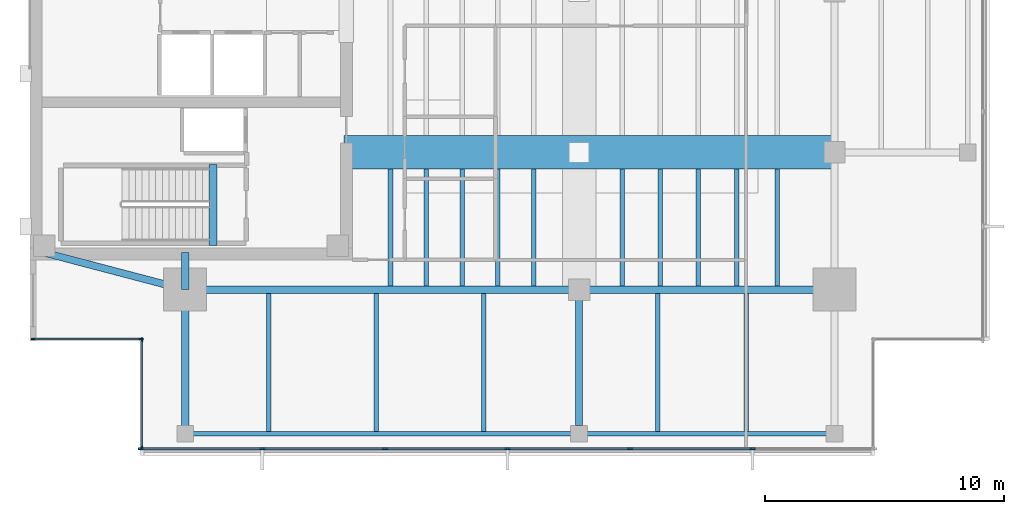
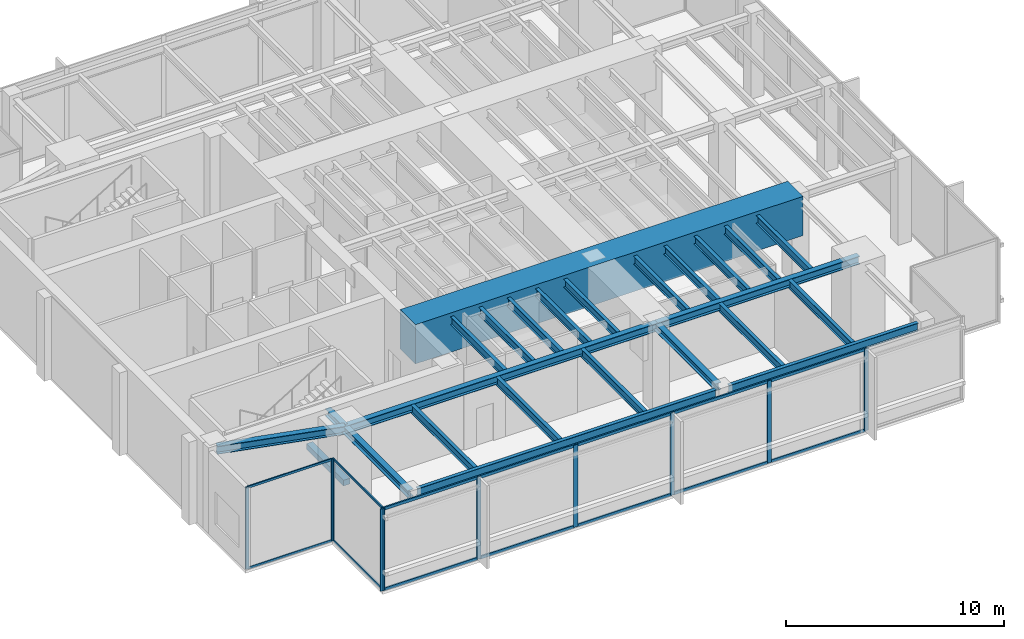
# One storey, part 2 of 14: 25 beams, 24 members, 3 elements without a shape of their own.
"""IFC4 building model written with IfcOpenShell, lengths in metres."""

from ifc_helpers import new_model, si_unit, direction, frame, origin, origin_2d, place, context, subcontext, project, spatial, rectangle, i_section, extrude, material, layer, layer_set, material_profile, profile_set, type_object, element, aggregate, save


model = new_model("IFC4")

# Units and contexts
model_context = context("Model", 3, precision=1e-05, world=origin(), true_north=direction((0.0, 1.0)))
body_context = subcontext(model_context, "Body", "Model", "MODEL_VIEW")
ifc_project = project(units=[si_unit("LENGTHUNIT", "METRE"), si_unit("AREAUNIT", "SQUARE_METRE"), si_unit("VOLUMEUNIT", "CUBIC_METRE"), si_unit("PLANEANGLEUNIT", "RADIAN"), si_unit("MASSUNIT", "GRAM", prefix="KILO")], contexts=[model_context])

# Site, building, storey
site_placement = place(None, origin())
site = spatial("IfcSite", under=ifc_project, at=site_placement, CompositionType="ELEMENT")
building_placement = place(site_placement, origin())
building = spatial("IfcBuilding", under=site, at=building_placement, Name="Kinhvarn Gate Tower", CompositionType="ELEMENT")
storey_placement = place(building_placement, frame((0.0, 0.0, 291.85009765625)))
storey = spatial("IfcBuildingStorey", under=building, at=storey_placement, Name="L78", CompositionType="ELEMENT", Elevation=291.85009765625)

# Beams
ifc_material_1 = material(Name="Concrete C50/60", Category="concrete")
ifc_material_profile_1 = material_profile(ifc_material_1, rectangle(XDim=0.340087890625, YDim=0.320068359375, at=origin_2d()), Name="RC 340x320")
ifc_profile_set_1 = profile_set([ifc_material_profile_1], Name="Concrete C50/60")
beam_type_1 = type_object("IfcBeamType", Name="BM-LND-500", PredefinedType="BEAM", material=ifc_profile_set_1)
beam_1_placement = place(storey_placement, frame((12.1650390625, 14.60009765625, -0.16015625), z_axis=(0.0, 1.0, 0.0), x_axis=(-1.0, 0.0, 0.0)))
element("IfcBeam", 1, at=beam_1_placement, inside=storey, type_object=beam_type_1, Name="Stair ST1 Landing Nosing Beam (L78)", PredefinedType="BEAM", context=body_context, shape_type="SweptSolid", body=[
    extrude(rectangle(XDim=0.340087890625, YDim=0.320068359375, at=origin_2d()), origin(), (0.0, 0.0, 1.0), 3.39990234375),
])
ifc_material_2 = material(Name="Concrete C60/75", Category="concrete")
ifc_material_profile_2 = material_profile(ifc_material_2, rectangle(XDim=1.39990234375, YDim=2.199951171875, at=origin_2d()), Name="RC 1400x2200")
ifc_profile_set_2 = profile_set([ifc_material_profile_2], Name="Concrete C60/75")
beam_type_2 = type_object("IfcBeamType", Name="BM-TG-2200", PredefinedType="BEAM", material=ifc_profile_set_2)
beam_2_placement = place(storey_placement, frame((17.64990234375, 18.5, 3.699951171875), z_axis=(1.0, 0.0, 0.0), x_axis=(0.0, 1.0, 0.0)))
element("IfcBeam", 2, at=beam_2_placement, inside=storey, type_object=beam_type_2, Name="Setback Transfer Girder TG-02-L79-CRANC-1", PredefinedType="BEAM", context=body_context, shape_type="SweptSolid", body=[
    extrude(rectangle(XDim=1.39990234375, YDim=2.199951171875, at=origin_2d()), origin(), (0.0, 0.0, 1.0), 20.550048828125),
])

# Curtain wall, members
ifc_material_3 = material(Name="Anodised aluminium AW-6063", Category="aluminium")
ifc_layer_1 = layer(ifc_material_3, 0.179931640625)
ifc_layer_set_1 = layer_set([ifc_layer_1], Name="Anodised aluminium AW-6063")
curtain_wall_type_1 = type_object("IfcCurtainWallType", Name="CW-SYS-4", PredefinedType="NOTDEFINED", material=ifc_layer_set_1)
curtain_wall_1_placement = place(storey_placement, origin())
curtain_wall_1 = element("IfcCurtainWall", 3, at=curtain_wall_1_placement, inside=storey, type_object=curtain_wall_type_1, Name="Curtain Wall CW4 (L78)", PredefinedType="NOTDEFINED")
ifc_material_profile_3 = material_profile(ifc_material_3, rectangle(XDim=0.06494140625, YDim=0.159912109375, at=origin_2d()), Name="ALU 65x160")
ifc_profile_set_3 = profile_set([ifc_material_profile_3], Name="Anodised aluminium AW-6063")
member_type_1 = type_object("IfcMemberType", Name="CW-MUL-160", PredefinedType="MULLION", material=ifc_profile_set_3)
member_1_placement = place(storey_placement, frame((4.62255859375, 10.68994140625, 0.0), z_axis=(0.0, 0.0, 1.0), x_axis=(0.0, 1.0, 0.0)))
member_1 = element("IfcMember", 4, at=member_1_placement, type_object=member_type_1, Name="CW4 mullion 1", PredefinedType="MULLION", context=body_context, shape_type="SweptSolid", body=[
    extrude(rectangle(XDim=0.06494140625, YDim=0.159912109375, at=origin_2d()), origin(), (0.0, 0.0, 1.0), 4.599853515625),
])
member_2_placement = place(storey_placement, frame((9.157470703125, 10.68994140625, 0.0), z_axis=(0.0, 0.0, 1.0), x_axis=(0.0, 1.0, 0.0)))
member_2 = element("IfcMember", 5, at=member_2_placement, type_object=member_type_1, Name="CW4 mullion 2", PredefinedType="MULLION", context=body_context, shape_type="SweptSolid", body=[
    extrude(rectangle(XDim=0.06494140625, YDim=0.159912109375, at=origin_2d()), origin(), (0.0, 0.0, 1.0), 4.599853515625),
])

curtain_wall_2_placement = place(storey_placement, origin())
curtain_wall_2 = element("IfcCurtainWall", 6, at=curtain_wall_2_placement, inside=storey, type_object=curtain_wall_type_1, Name="Curtain Wall CW4 (L78)", PredefinedType="NOTDEFINED")
member_3_placement = place(storey_placement, frame((9.18994140625, 10.657470703125, 0.0), z_axis=(0.0, 0.0, 1.0), x_axis=(1.0, 0.0, 0.0)))
member_3 = element("IfcMember", 7, at=member_3_placement, type_object=member_type_1, Name="CW4 mullion 1", PredefinedType="MULLION", context=body_context, shape_type="SweptSolid", body=[
    extrude(rectangle(XDim=0.06494140625, YDim=0.159912109375, at=origin_2d()), origin(), (0.0, 0.0, 1.0), 4.599853515625),
])
member_4_placement = place(storey_placement, frame((9.18994140625, 6.12255859375, 0.0), z_axis=(0.0, 0.0, 1.0), x_axis=(1.0, 0.0, 0.0)))
member_4 = element("IfcMember", 8, at=member_4_placement, type_object=member_type_1, Name="CW4 mullion 2", PredefinedType="MULLION", context=body_context, shape_type="SweptSolid", body=[
    extrude(rectangle(XDim=0.06494140625, YDim=0.159912109375, at=origin_2d()), origin(), (0.0, 0.0, 1.0), 4.599853515625),
])

ifc_layer_2 = layer(ifc_material_3, 0.219970703125)
ifc_layer_set_2 = layer_set([ifc_layer_2], Name="Anodised aluminium AW-6063")
curtain_wall_type_2 = type_object("IfcCurtainWallType", Name="CW-SYS-5", PredefinedType="NOTDEFINED", material=ifc_layer_set_2)
curtain_wall_3_placement = place(storey_placement, origin())
curtain_wall_3 = element("IfcCurtainWall", 9, at=curtain_wall_3_placement, inside=storey, type_object=curtain_wall_type_2, Name="Curtain Wall CW5 (L78)", PredefinedType="NOTDEFINED")
ifc_material_profile_4 = material_profile(ifc_material_3, rectangle(XDim=0.080078125, YDim=0.219970703125, at=origin_2d()), Name="ALU 80x220")
ifc_profile_set_4 = profile_set([ifc_material_profile_4], Name="Anodised aluminium AW-6063")
member_type_2 = type_object("IfcMemberType", Name="CW-MUL-220", PredefinedType="MULLION", material=ifc_profile_set_4)
member_5_placement = place(storey_placement, frame((9.139892578125, 6.090087890625, 0.0), z_axis=(0.0, 0.0, 1.0), x_axis=(0.0, 1.0, 0.0)))
member_5 = element("IfcMember", 10, at=member_5_placement, type_object=member_type_2, Name="CW5 mullion 1", PredefinedType="MULLION", context=body_context, shape_type="SweptSolid", body=[
    extrude(rectangle(XDim=0.080078125, YDim=0.219970703125, at=origin_2d()), origin(), (0.0, 0.0, 1.0), 4.599853515625),
])
member_6_placement = place(storey_placement, frame((14.2333984375, 6.090087890625, 0.0), z_axis=(0.0, 0.0, 1.0), x_axis=(0.0, 1.0, 0.0)))
member_6 = element("IfcMember", 11, at=member_6_placement, type_object=member_type_2, Name="CW5 mullion 2", PredefinedType="MULLION", context=body_context, shape_type="SweptSolid", body=[
    extrude(rectangle(XDim=0.080078125, YDim=0.219970703125, at=origin_2d()), origin(), (0.0, 0.0, 1.0), 4.599853515625),
])
member_7_placement = place(storey_placement, frame((19.36669921875, 6.090087890625, 0.0), z_axis=(0.0, 0.0, 1.0), x_axis=(0.0, 1.0, 0.0)))
member_7 = element("IfcMember", 12, at=member_7_placement, type_object=member_type_2, Name="CW5 mullion 3", PredefinedType="MULLION", context=body_context, shape_type="SweptSolid", body=[
    extrude(rectangle(XDim=0.080078125, YDim=0.219970703125, at=origin_2d()), origin(), (0.0, 0.0, 1.0), 4.599853515625),
])
member_8_placement = place(storey_placement, frame((24.5, 6.090087890625, 0.0), z_axis=(0.0, 0.0, 1.0), x_axis=(0.0, 1.0, 0.0)))
member_8 = element("IfcMember", 13, at=member_8_placement, type_object=member_type_2, Name="CW5 mullion 4", PredefinedType="MULLION", context=body_context, shape_type="SweptSolid", body=[
    extrude(rectangle(XDim=0.080078125, YDim=0.219970703125, at=origin_2d()), origin(), (0.0, 0.0, 1.0), 4.599853515625),
])
member_9_placement = place(storey_placement, frame((29.63330078125, 6.090087890625, 0.0), z_axis=(0.0, 0.0, 1.0), x_axis=(0.0, 1.0, 0.0)))
member_9 = element("IfcMember", 14, at=member_9_placement, type_object=member_type_2, Name="CW5 mullion 5", PredefinedType="MULLION", context=body_context, shape_type="SweptSolid", body=[
    extrude(rectangle(XDim=0.080078125, YDim=0.219970703125, at=origin_2d()), origin(), (0.0, 0.0, 1.0), 4.599853515625),
])
member_10_placement = place(storey_placement, frame((34.7666015625, 6.090087890625, 0.0), z_axis=(0.0, 0.0, 1.0), x_axis=(0.0, 1.0, 0.0)))
member_10 = element("IfcMember", 15, at=member_10_placement, type_object=member_type_2, Name="CW5 mullion 6", PredefinedType="MULLION", context=body_context, shape_type="SweptSolid", body=[
    extrude(rectangle(XDim=0.080078125, YDim=0.219970703125, at=origin_2d()), origin(), (0.0, 0.0, 1.0), 4.599853515625),
])

# Member
ifc_material_profile_5 = material_profile(ifc_material_3, rectangle(XDim=0.06494140625, YDim=0.1201171875, at=origin_2d()), Name="ALU 65x120")
ifc_profile_set_5 = profile_set([ifc_material_profile_5], Name="Anodised aluminium AW-6063")
member_type_3 = type_object("IfcMemberType", Name="CW-TRN-120", PredefinedType="USERDEFINED", material=ifc_profile_set_5)
member_11_placement = place(storey_placement, frame((4.655029296875, 10.68994140625, 0.032470703125), z_axis=(1.0, 0.0, 0.0), x_axis=(0.0, 1.0, 0.0)))
member_11 = element("IfcMember", 16, at=member_11_placement, type_object=member_type_3, Name="CW4 transom 1.1", ObjectType="TRANSOM", PredefinedType="USERDEFINED", context=body_context, shape_type="SweptSolid", body=[
    extrude(rectangle(XDim=0.06494140625, YDim=0.1201171875, at=origin_2d()), origin(), (0.0, 0.0, 1.0), 4.469970703125),
])

member_12_placement = place(storey_placement, frame((4.655029296875, 10.68994140625, 4.5673828125), z_axis=(1.0, 0.0, 0.0), x_axis=(0.0, 1.0, 0.0)))
member_12 = element("IfcMember", 17, at=member_12_placement, type_object=member_type_3, Name="CW4 transom 1.2", ObjectType="TRANSOM", PredefinedType="USERDEFINED", context=body_context, shape_type="SweptSolid", body=[
    extrude(rectangle(XDim=0.06494140625, YDim=0.1201171875, at=origin_2d()), origin(), (0.0, 0.0, 1.0), 4.469970703125),
])

aggregate(curtain_wall_1, [member_1, member_2, member_11, member_12])

member_13_placement = place(storey_placement, frame((9.18994140625, 10.625, 0.032470703125), z_axis=(0.0, -1.0, 0.0), x_axis=(1.0, 0.0, 0.0)))
member_13 = element("IfcMember", 18, at=member_13_placement, type_object=member_type_3, Name="CW4 transom 1.1", ObjectType="TRANSOM", PredefinedType="USERDEFINED", context=body_context, shape_type="SweptSolid", body=[
    extrude(rectangle(XDim=0.06494140625, YDim=0.1201171875, at=origin_2d()), origin(), (0.0, 0.0, 1.0), 4.469970703125),
])

member_14_placement = place(storey_placement, frame((9.18994140625, 10.625, 4.5673828125), z_axis=(0.0, -1.0, 0.0), x_axis=(1.0, 0.0, 0.0)))
member_14 = element("IfcMember", 19, at=member_14_placement, type_object=member_type_3, Name="CW4 transom 1.2", ObjectType="TRANSOM", PredefinedType="USERDEFINED", context=body_context, shape_type="SweptSolid", body=[
    extrude(rectangle(XDim=0.06494140625, YDim=0.1201171875, at=origin_2d()), origin(), (0.0, 0.0, 1.0), 4.469970703125),
])

aggregate(curtain_wall_2, [member_3, member_4, member_13, member_14])

ifc_material_profile_6 = material_profile(ifc_material_3, rectangle(XDim=0.080078125, YDim=0.159912109375, at=origin_2d()), Name="ALU 80x160")
ifc_profile_set_6 = profile_set([ifc_material_profile_6], Name="Anodised aluminium AW-6063")
member_type_4 = type_object("IfcMemberType", Name="CW-TRN-160", PredefinedType="USERDEFINED", material=ifc_profile_set_6)
member_15_placement = place(storey_placement, frame((9.179931640625, 6.090087890625, 0.039794921875), z_axis=(1.0, 0.0, 0.0), x_axis=(0.0, 1.0, 0.0)))
member_15 = element("IfcMember", 20, at=member_15_placement, type_object=member_type_4, Name="CW5 transom 1.1", ObjectType="TRANSOM", PredefinedType="USERDEFINED", context=body_context, shape_type="SweptSolid", body=[
    extrude(rectangle(XDim=0.080078125, YDim=0.159912109375, at=origin_2d()), origin(), (0.0, 0.0, 1.0), 5.013427734375),
])

member_16_placement = place(storey_placement, frame((9.179931640625, 6.090087890625, 4.559814453125), z_axis=(1.0, 0.0, 0.0), x_axis=(0.0, 1.0, 0.0)))
member_16 = element("IfcMember", 21, at=member_16_placement, type_object=member_type_4, Name="CW5 transom 1.2", ObjectType="TRANSOM", PredefinedType="USERDEFINED", context=body_context, shape_type="SweptSolid", body=[
    extrude(rectangle(XDim=0.080078125, YDim=0.159912109375, at=origin_2d()), origin(), (0.0, 0.0, 1.0), 5.013427734375),
])

member_17_placement = place(storey_placement, frame((14.2734375, 6.090087890625, 0.039794921875), z_axis=(1.0, 0.0, 0.0), x_axis=(0.0, 1.0, 0.0)))
member_17 = element("IfcMember", 22, at=member_17_placement, type_object=member_type_4, Name="CW5 transom 2.1", ObjectType="TRANSOM", PredefinedType="USERDEFINED", context=body_context, shape_type="SweptSolid", body=[
    extrude(rectangle(XDim=0.080078125, YDim=0.159912109375, at=origin_2d()), origin(), (0.0, 0.0, 1.0), 5.05322265625),
])

member_18_placement = place(storey_placement, frame((14.2734375, 6.090087890625, 4.559814453125), z_axis=(1.0, 0.0, 0.0), x_axis=(0.0, 1.0, 0.0)))
member_18 = element("IfcMember", 23, at=member_18_placement, type_object=member_type_4, Name="CW5 transom 2.2", ObjectType="TRANSOM", PredefinedType="USERDEFINED", context=body_context, shape_type="SweptSolid", body=[
    extrude(rectangle(XDim=0.080078125, YDim=0.159912109375, at=origin_2d()), origin(), (0.0, 0.0, 1.0), 5.05322265625),
])

member_19_placement = place(storey_placement, frame((19.40673828125, 6.090087890625, 0.039794921875), z_axis=(1.0, 0.0, 0.0), x_axis=(0.0, 1.0, 0.0)))
member_19 = element("IfcMember", 24, at=member_19_placement, type_object=member_type_4, Name="CW5 transom 3.1", ObjectType="TRANSOM", PredefinedType="USERDEFINED", context=body_context, shape_type="SweptSolid", body=[
    extrude(rectangle(XDim=0.080078125, YDim=0.159912109375, at=origin_2d()), origin(), (0.0, 0.0, 1.0), 5.05322265625),
])

member_20_placement = place(storey_placement, frame((19.40673828125, 6.090087890625, 4.559814453125), z_axis=(1.0, 0.0, 0.0), x_axis=(0.0, 1.0, 0.0)))
member_20 = element("IfcMember", 25, at=member_20_placement, type_object=member_type_4, Name="CW5 transom 3.2", ObjectType="TRANSOM", PredefinedType="USERDEFINED", context=body_context, shape_type="SweptSolid", body=[
    extrude(rectangle(XDim=0.080078125, YDim=0.159912109375, at=origin_2d()), origin(), (0.0, 0.0, 1.0), 5.05322265625),
])

member_21_placement = place(storey_placement, frame((24.5400390625, 6.090087890625, 0.039794921875), z_axis=(1.0, 0.0, 0.0), x_axis=(0.0, 1.0, 0.0)))
member_21 = element("IfcMember", 26, at=member_21_placement, type_object=member_type_4, Name="CW5 transom 4.1", ObjectType="TRANSOM", PredefinedType="USERDEFINED", context=body_context, shape_type="SweptSolid", body=[
    extrude(rectangle(XDim=0.080078125, YDim=0.159912109375, at=origin_2d()), origin(), (0.0, 0.0, 1.0), 5.05322265625),
])

member_22_placement = place(storey_placement, frame((24.5400390625, 6.090087890625, 4.559814453125), z_axis=(1.0, 0.0, 0.0), x_axis=(0.0, 1.0, 0.0)))
member_22 = element("IfcMember", 27, at=member_22_placement, type_object=member_type_4, Name="CW5 transom 4.2", ObjectType="TRANSOM", PredefinedType="USERDEFINED", context=body_context, shape_type="SweptSolid", body=[
    extrude(rectangle(XDim=0.080078125, YDim=0.159912109375, at=origin_2d()), origin(), (0.0, 0.0, 1.0), 5.05322265625),
])

member_23_placement = place(storey_placement, frame((29.67333984375, 6.090087890625, 0.039794921875), z_axis=(1.0, 0.0, 0.0), x_axis=(0.0, 1.0, 0.0)))
member_23 = element("IfcMember", 28, at=member_23_placement, type_object=member_type_4, Name="CW5 transom 5.1", ObjectType="TRANSOM", PredefinedType="USERDEFINED", context=body_context, shape_type="SweptSolid", body=[
    extrude(rectangle(XDim=0.080078125, YDim=0.159912109375, at=origin_2d()), origin(), (0.0, 0.0, 1.0), 5.05322265625),
])

member_24_placement = place(storey_placement, frame((29.67333984375, 6.090087890625, 4.559814453125), z_axis=(1.0, 0.0, 0.0), x_axis=(0.0, 1.0, 0.0)))
member_24 = element("IfcMember", 29, at=member_24_placement, type_object=member_type_4, Name="CW5 transom 5.2", ObjectType="TRANSOM", PredefinedType="USERDEFINED", context=body_context, shape_type="SweptSolid", body=[
    extrude(rectangle(XDim=0.080078125, YDim=0.159912109375, at=origin_2d()), origin(), (0.0, 0.0, 1.0), 5.05322265625),
])

aggregate(curtain_wall_3, [member_5, member_6, member_7, member_8, member_9, member_10, member_15, member_16, member_17, member_18, member_19, member_20, member_21, member_22, member_23, member_24])

# Beams
ifc_material_4 = material(Name="Steel S355", Category="steel")
ifc_material_profile_7 = material_profile(ifc_material_4, i_section(OverallWidth=0.300048828125, OverallDepth=0.39990234375, WebThickness=0.013427734375, FlangeThickness=0.02392578125, at=origin_2d()), Name="HEB 400")
ifc_profile_set_7 = profile_set([ifc_material_profile_7], Name="Steel S355")
beam_type_3 = type_object("IfcBeamType", Name="STL-HEB400", PredefinedType="BEAM", material=ifc_profile_set_7)
beam_3_placement = place(storey_placement, frame((11.0, 6.719970703125, 4.39990234375), z_axis=(0.0, 1.0, 0.0), x_axis=(-1.0, 0.0, 0.0)))
element("IfcBeam", 30, at=beam_3_placement, inside=storey, type_object=beam_type_3, Name="Floor Beam PG-12 (L78 MCW-S)", PredefinedType="BEAM", context=body_context, shape_type="SweptSolid", body=[
    extrude(i_section(OverallWidth=0.300048828125, OverallDepth=0.39990234375, WebThickness=0.013427734375, FlangeThickness=0.02392578125, at=origin_2d()), origin(), (0.0, 0.0, 1.0), 6.030029296875),
])
beam_4_placement = place(storey_placement, frame((11.0, 12.75, 4.39990234375), z_axis=(0.0, 1.0, 0.0), x_axis=(-1.0, 0.0, 0.0)))
element("IfcBeam", 31, at=beam_4_placement, inside=storey, type_object=beam_type_3, Name="Floor Beam PG-12 (L78 MCW-CS)", PredefinedType="BEAM", context=body_context, shape_type="SweptSolid", body=[
    extrude(i_section(OverallWidth=0.300048828125, OverallDepth=0.39990234375, WebThickness=0.013427734375, FlangeThickness=0.02392578125, at=origin_2d()), origin(), (0.0, 0.0, 1.0), 1.550048828125),
])
beam_5_placement = place(storey_placement, frame((27.5, 7.054931640625, 4.39990234375), z_axis=(0.0, 1.0, 0.0), x_axis=(-1.0, 0.0, 0.0)))
element("IfcBeam", 32, at=beam_5_placement, inside=storey, type_object=beam_type_3, Name="Floor Beam PG-12 (L78 SP27-S-TIE)", PredefinedType="BEAM", context=body_context, shape_type="SweptSolid", body=[
    extrude(i_section(OverallWidth=0.300048828125, OverallDepth=0.39990234375, WebThickness=0.013427734375, FlangeThickness=0.02392578125, at=origin_2d()), origin(), (0.0, 0.0, 1.0), 5.695068359375),
])
ifc_material_profile_8 = material_profile(ifc_material_4, i_section(OverallWidth=0.300048828125, OverallDepth=0.449951171875, WebThickness=0.013916015625, FlangeThickness=0.02587890625, at=origin_2d()), Name="HEB 450")
ifc_profile_set_8 = profile_set([ifc_material_profile_8], Name="Steel S355")
beam_type_4 = type_object("IfcBeamType", Name="STL-HEB450", PredefinedType="BEAM", material=ifc_profile_set_8)
beam_6_placement = place(storey_placement, frame((11.0, 12.75, 4.375), z_axis=(1.0, 0.0, 0.0), x_axis=(0.0, 1.0, 0.0)))
element("IfcBeam", 33, at=beam_6_placement, inside=storey, type_object=beam_type_4, Name="Floor Beam PG-13 (L78 MG-S1)", PredefinedType="BEAM", context=body_context, shape_type="SweptSolid", body=[
    extrude(i_section(OverallWidth=0.300048828125, OverallDepth=0.449951171875, WebThickness=0.013916015625, FlangeThickness=0.02587890625, at=origin_2d()), origin(), (0.0, 0.0, 1.0), 16.5),
])
beam_7_placement = place(storey_placement, frame((27.5, 12.75, 4.375), z_axis=(1.0, 0.0, 0.0), x_axis=(0.0, 1.0, 0.0)))
element("IfcBeam", 34, at=beam_7_placement, inside=storey, type_object=beam_type_4, Name="Floor Beam PG-13 (L78 MG-S2)", PredefinedType="BEAM", context=body_context, shape_type="SweptSolid", body=[
    extrude(i_section(OverallWidth=0.300048828125, OverallDepth=0.449951171875, WebThickness=0.013916015625, FlangeThickness=0.02587890625, at=origin_2d()), origin(), (0.0, 0.0, 1.0), 10.699951171875),
])
beam_8_placement = place(storey_placement, frame((5.10009765625, 14.300048828125, 4.375), z_axis=(0.967177623957, -0.254101246979, 0.0), x_axis=(0.254101246979, 0.967177623957, 0.0)))
element("IfcBeam", 35, at=beam_8_placement, inside=storey, type_object=beam_type_4, Name="Floor Beam PG-13 (L78 MG-SW-DIAG)", PredefinedType="BEAM", context=body_context, shape_type="SweptSolid", body=[
    extrude(i_section(OverallWidth=0.300048828125, OverallDepth=0.449951171875, WebThickness=0.013916015625, FlangeThickness=0.02587890625, at=origin_2d()), origin(), (0.0, 0.0, 1.0), 6.10009765625),
])
ifc_material_profile_9 = material_profile(ifc_material_4, i_section(OverallWidth=0.18994140625, OverallDepth=0.449951171875, WebThickness=0.009521484375, FlangeThickness=0.0146484375, at=origin_2d()), Name="IPE 450")
ifc_profile_set_9 = profile_set([ifc_material_profile_9], Name="Steel S355")
beam_type_5 = type_object("IfcBeamType", Name="STL-IPE450", PredefinedType="JOIST", material=ifc_profile_set_9)
beam_9_placement = place(storey_placement, frame((11.3349609375, 6.719970703125, 4.375), z_axis=(1.0, 0.0, 0.0), x_axis=(0.0, 1.0, 0.0)))
element("IfcBeam", 36, at=beam_9_placement, inside=storey, type_object=beam_type_5, Name="Floor Joist SB-06 (L78 SP-S1)", PredefinedType="JOIST", context=body_context, shape_type="SweptSolid", body=[
    extrude(i_section(OverallWidth=0.18994140625, OverallDepth=0.449951171875, WebThickness=0.009521484375, FlangeThickness=0.0146484375, at=origin_2d()), origin(), (0.0, 0.0, 1.0), 15.830078125),
])
beam_10_placement = place(storey_placement, frame((27.8349609375, 6.719970703125, 4.375), z_axis=(1.0, 0.0, 0.0), x_axis=(0.0, 1.0, 0.0)))
element("IfcBeam", 37, at=beam_10_placement, inside=storey, type_object=beam_type_5, Name="Floor Joist SB-06 (L78 SP-S2)", PredefinedType="JOIST", context=body_context, shape_type="SweptSolid", body=[
    extrude(i_section(OverallWidth=0.18994140625, OverallDepth=0.449951171875, WebThickness=0.009521484375, FlangeThickness=0.0146484375, at=origin_2d()), origin(), (0.0, 0.0, 1.0), 10.030029296875),
])
for number, where, z_axis, x_axis, name in (
    (38, (19.60009765625, 12.89990234375, 4.375), (0.0, 1.0, 0.0), (-1.0, 0.0, 0.0), "Floor Joist SB-06 (L78 JC-X196-0)"),
    (39, (21.10009765625, 12.89990234375, 4.375), (0.0, 1.0, 0.0), (-1.0, 0.0, 0.0), "Floor Joist SB-06 (L78 JC-X211-0)"),
    (40, (22.60009765625, 12.89990234375, 4.375), (0.0, 1.0, 0.0), (-1.0, 0.0, 0.0), "Floor Joist SB-06 (L78 JC-X226-0)"),
    (41, (24.10009765625, 12.89990234375, 4.375), (0.0, 1.0, 0.0), (-1.0, 0.0, 0.0), "Floor Joist SB-06 (L78 JC-X241-0)"),
    (42, (25.60009765625, 12.89990234375, 4.375), (0.0, 1.0, 0.0), (-1.0, 0.0, 0.0), "Floor Joist SB-06 (L78 JC-X256-0)"),
    (43, (29.300048828125, 12.89990234375, 4.375), (0.0, 1.0, 0.0), (-1.0, 0.0, 0.0), "Floor Joist SB-06 (L78 JC-X293-0)"),
    (44, (30.89990234375, 12.89990234375, 4.375), (0.0, 1.0, 0.0), (-1.0, 0.0, 0.0), "Floor Joist SB-06 (L78 JC-X309-0)"),
    (45, (32.5, 12.89990234375, 4.375), (0.0, 1.0, 0.0), (-1.0, 0.0, 0.0), "Floor Joist SB-06 (L78 JC-X325-0)"),
    (46, (34.10009765625, 12.89990234375, 4.375), (0.0, 1.0, 0.0), (-1.0, 0.0, 0.0), "Floor Joist SB-06 (L78 JC-X341-0)"),
    (47, (35.800048828125, 12.89990234375, 4.375), (0.0, 1.0, 0.0), (-1.0, 0.0, 0.0), "Floor Joist SB-06 (L78 JC-X358-0)"),
):
    element("IfcBeam", number, at=place(storey_placement, frame(where, z_axis=z_axis, x_axis=x_axis)), inside=storey, type_object=beam_type_5, Name=name, PredefinedType="JOIST", context=body_context, shape_type="SweptSolid", body=[
        extrude(i_section(OverallWidth=0.18994140625, OverallDepth=0.449951171875, WebThickness=0.009521484375, FlangeThickness=0.0146484375, at=origin_2d()), origin(), (0.0, 0.0, 1.0), 4.900146484375),
    ])
for number, where, z_axis, x_axis, name in (
    (48, (14.5, 6.81494140625, 4.375), (0.0, 1.0, 0.0), (-1.0, 0.0, 0.0), "Floor Joist SB-06 (L78 JS-X145)"),
    (49, (19.0, 6.81494140625, 4.375), (0.0, 1.0, 0.0), (-1.0, 0.0, 0.0), "Floor Joist SB-06 (L78 JS-X190)"),
    (50, (23.5, 6.81494140625, 4.375), (0.0, 1.0, 0.0), (-1.0, 0.0, 0.0), "Floor Joist SB-06 (L78 JS-X235)"),
    (51, (30.800048828125, 6.81494140625, 4.375), (0.0, 1.0, 0.0), (-1.0, 0.0, 0.0), "Floor Joist SB-06 (L78 JS-X308)"),
    (52, (34.5, 6.81494140625, 4.375), (0.0, 1.0, 0.0), (-1.0, 0.0, 0.0), "Floor Joist SB-06 (L78 JS-X345)"),
):
    element("IfcBeam", number, at=place(storey_placement, frame(where, z_axis=z_axis, x_axis=x_axis)), inside=storey, type_object=beam_type_5, Name=name, PredefinedType="JOIST", context=body_context, shape_type="SweptSolid", body=[
        extrude(i_section(OverallWidth=0.18994140625, OverallDepth=0.449951171875, WebThickness=0.009521484375, FlangeThickness=0.0146484375, at=origin_2d()), origin(), (0.0, 0.0, 1.0), 5.78515625),
    ])

save(model, "model.ifc")
